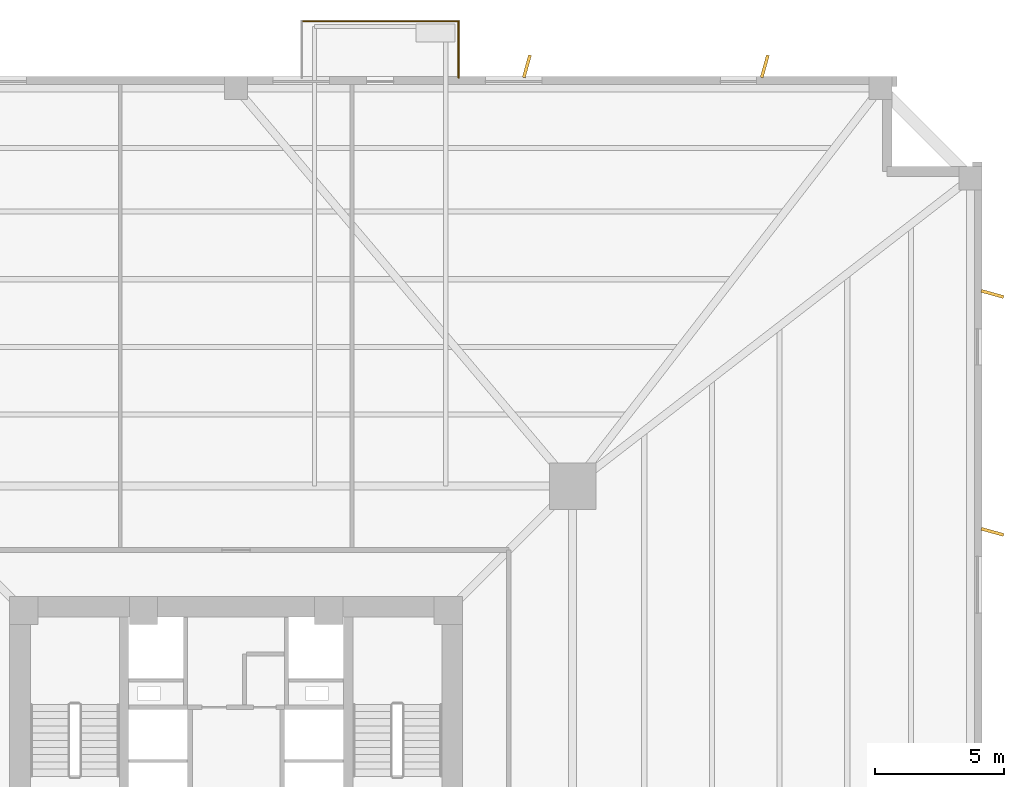
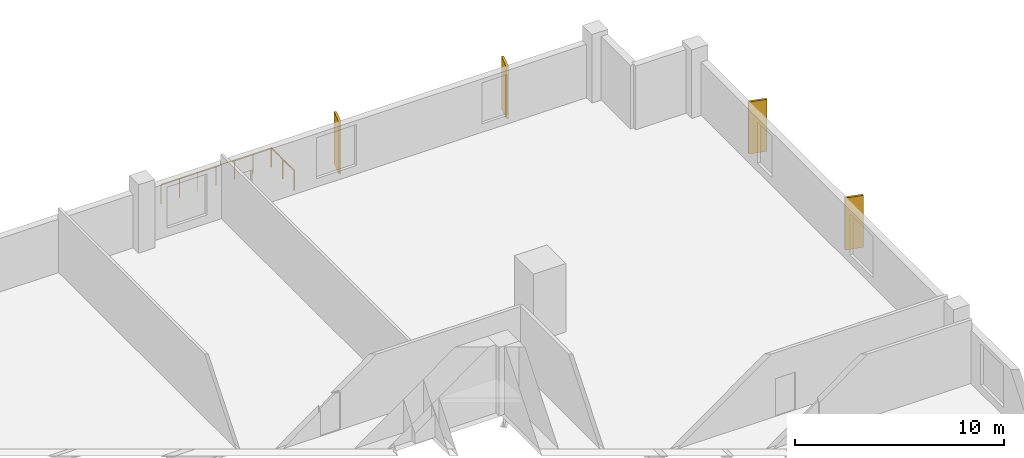
# One storey, part 8 of 8: 4 coverings, 2 railings.
"""IFC4 building model written with IfcOpenShell, lengths in metres."""

from ifc_helpers import new_model, si_unit, direction, frame, origin, origin_2d, place, context, subcontext, project, spatial, rectangle, circle, extrude, source, transform, mapped, material, layer, layer_set, type_object, element, save


model = new_model("IFC4")

# Units and contexts
model_context = context("Model", 3, precision=1e-05, world=origin(), true_north=direction((0.0, 1.0)))
body_context = subcontext(model_context, "Body", "Model", "MODEL_VIEW")
ifc_project = project(units=[si_unit("LENGTHUNIT", "METRE"), si_unit("AREAUNIT", "SQUARE_METRE"), si_unit("VOLUMEUNIT", "CUBIC_METRE"), si_unit("PLANEANGLEUNIT", "RADIAN"), si_unit("MASSUNIT", "GRAM", prefix="KILO"), si_unit("THERMODYNAMICTEMPERATUREUNIT", "KELVIN")], contexts=[model_context])

# Site, building, storey
site_placement = place(None, origin())
site = spatial("IfcSite", under=ifc_project, at=site_placement, CompositionType="ELEMENT")
building_placement = place(site_placement, origin())
building = spatial("IfcBuilding", under=site, at=building_placement, Name="Kosmvard Interchange Tower", CompositionType="ELEMENT")
storey_placement = place(building_placement, frame((0.0, 0.0, 30.0)))
storey = spatial("IfcBuildingStorey", under=building, at=storey_placement, Name="L06", CompositionType="ELEMENT", Elevation=30.0)

# Railing
ifc_material_1 = material(Name="Steel S355", Category="steel")
railing_type = type_object("IfcRailingType", Name="Observation & Balcony Glass-Infill Balustrade 1150", PredefinedType="BALUSTRADE", material=ifc_material_1)
shared_shape_1 = source(origin(), body_context, "Body", "SweptSolid", [
    extrude(circle(Radius=0.02392578125, at=origin_2d()), frame((0.0, 0.0, 1.1259765625), z_axis=(0.0, 1.0, 0.0), x_axis=(-1.0, 0.0, 0.0)), (0.0, 0.0, 1.0), 2.199951171875),
    extrude(circle(Radius=0.02099609375, at=origin_2d()), origin(), (0.0, 0.0, 1.0), 1.101806640625),
    extrude(circle(Radius=0.02099609375, at=origin_2d()), frame((0.0, 1.10009765625, 0.0)), (0.0, 0.0, 1.0), 1.101806640625),
    extrude(circle(Radius=0.02099609375, at=origin_2d()), frame((0.0, 2.199951171875, 0.0)), (0.0, 0.0, 1.0), 1.101806640625),
])
railing_1_placement = place(storey_placement, frame((8.64990234375, 28.949951171875, 0.0)))
element("IfcRailing", 1, at=railing_1_placement, inside=storey, type_object=railing_type, Name="L06 Outdoor Terrace Guard BAL-L06-N-A", PredefinedType="BALUSTRADE", context=body_context, shape_type="MappedRepresentation", body=[
    mapped(shared_shape_1, transform((0.0, 0.0, 0.0), scale=1.0)),
])

# Coverings
ifc_material_2 = material(Name="Architectural anodised aluminium", Category="aluminium")
ifc_layer = layer(ifc_material_2, 0.1201171875, Name="Architectural anodised aluminium")
ifc_layer_set = layer_set([ifc_layer], Name="Architectural anodised aluminium")
covering_type = type_object("IfcCoveringType", Name="Rotating Vertical Sun-Breaker Fin 900x120 Aluminium", PredefinedType="CLADDING", material=ifc_layer_set)
shared_shape_2 = source(origin(), body_context, "Body", "SweptSolid", [
    extrude(rectangle(XDim=0.89990234375, YDim=0.1201171875, at=origin_2d()), origin(), (0.0, 0.0, 1.0), 3.0400390625),
])
for number, where, z_axis, x_axis, name in (
    (2, (29.39990234375, 11.3037109375, 0.0400390625), (0.0, 0.0, 1.0), (0.963396876837, -0.268079200424, 0.0), "L06 Rotating Vertical Sun-Breaker Fin 07"),
    (3, (29.39990234375, 20.552001953125, 0.0400390625), (0.0, 0.0, 1.0), (0.963396876837, -0.268079200424, 0.0), "L06 Rotating Vertical Sun-Breaker Fin 08"),
    (4, (20.552001953125, 29.39990234375, 0.0400390625), (0.0, 0.0, 1.0), (0.268079200424, 0.963396876837, 0.0), "L06 Rotating Vertical Sun-Breaker Fin 09"),
    (5, (11.3037109375, 29.39990234375, 0.0400390625), (0.0, 0.0, 1.0), (0.268079200424, 0.963396876837, 0.0), "L06 Rotating Vertical Sun-Breaker Fin 10"),
):
    element("IfcCovering", number, at=place(storey_placement, frame(where, z_axis=z_axis, x_axis=x_axis)), inside=storey, type_object=covering_type, Name=name, PredefinedType="CLADDING", context=body_context, shape_type="MappedRepresentation", body=[
        mapped(shared_shape_2, transform((0.0, 0.0, 0.0), scale=1.0)),
    ])

# Railing
shared_shape_3 = source(origin(), body_context, "Body", "SweptSolid", [
    extrude(circle(Radius=0.02392578125, at=origin_2d()), frame((0.0, 0.0, 1.1259765625), z_axis=(-1.0, 0.0, 0.0), x_axis=(0.0, -1.0, 0.0)), (0.0, 0.0, 1.0), 6.099853515625),
    extrude(circle(Radius=0.02099609375, at=origin_2d()), origin(), (0.0, 0.0, 1.0), 1.101806640625),
    extrude(circle(Radius=0.02099609375, at=origin_2d()), frame((-1.0166015625, 0.0, 0.0)), (0.0, 0.0, 1.0), 1.101806640625),
    extrude(circle(Radius=0.02099609375, at=origin_2d()), frame((-2.033203125, 0.0, 0.0)), (0.0, 0.0, 1.0), 1.101806640625),
    extrude(circle(Radius=0.02099609375, at=origin_2d()), frame((-3.0498046875, 0.0, 0.0)), (0.0, 0.0, 1.0), 1.101806640625),
    extrude(circle(Radius=0.02099609375, at=origin_2d()), frame((-4.066650390625, 0.0, 0.0)), (0.0, 0.0, 1.0), 1.101806640625),
    extrude(circle(Radius=0.02099609375, at=origin_2d()), frame((-5.083251953125, 0.0, 0.0)), (0.0, 0.0, 1.0), 1.101806640625),
    extrude(circle(Radius=0.02099609375, at=origin_2d()), frame((-6.099853515625, 0.0, 0.0)), (0.0, 0.0, 1.0), 1.101806640625),
])
railing_2_placement = place(storey_placement, frame((8.64990234375, 31.14990234375, 0.0)))
element("IfcRailing", 6, at=railing_2_placement, inside=storey, type_object=railing_type, Name="L06 Outdoor Terrace Guard BAL-L06-N-B", PredefinedType="BALUSTRADE", context=body_context, shape_type="MappedRepresentation", body=[
    mapped(shared_shape_3, transform((0.0, 0.0, 0.0), scale=1.0)),
])

save(model, "model.ifc")
